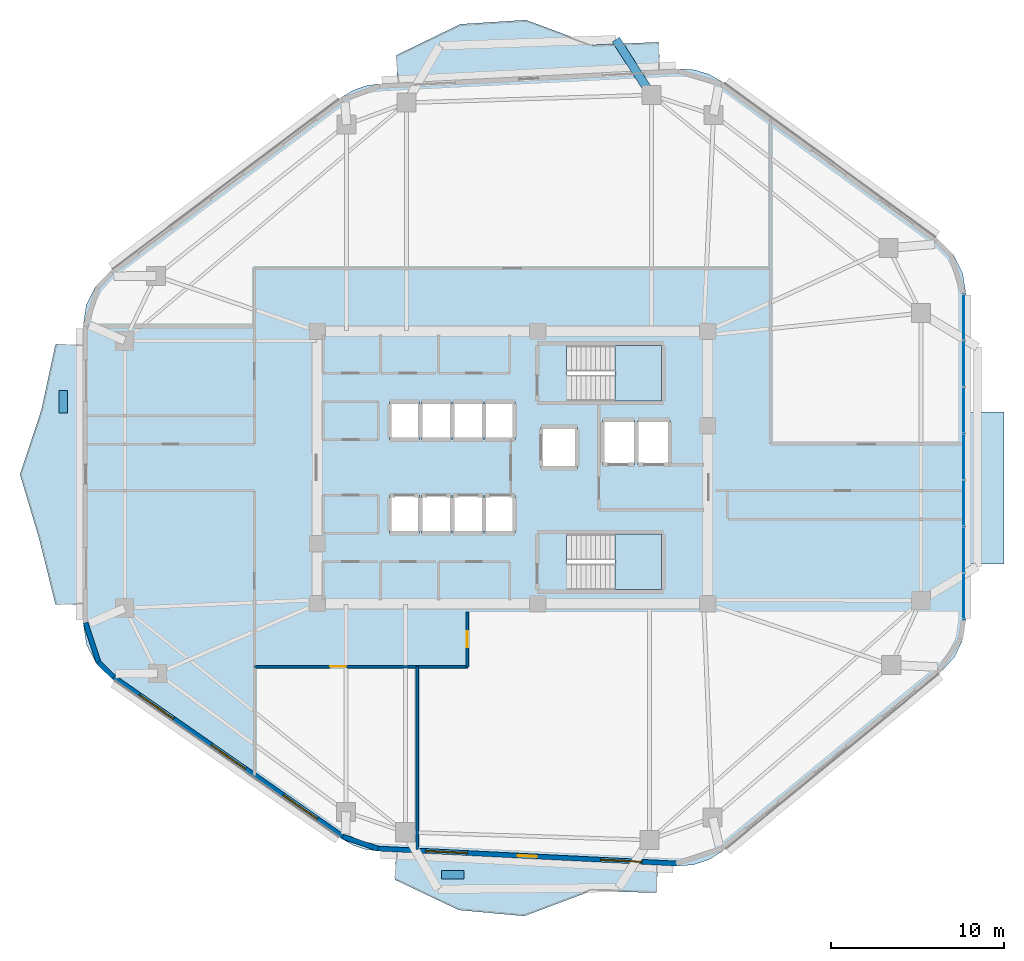
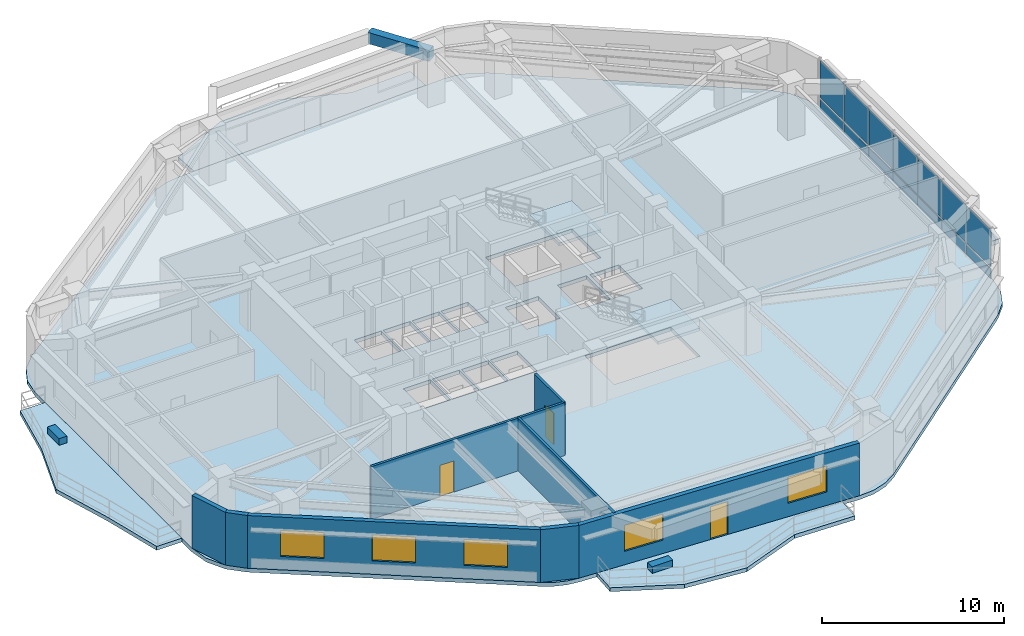
# One storey, part 8 of 15: 16 plates, 8 walls, 7 slabs, 5 windows, 3 doors, 1 beam, 8 openings, 3 elements without a shape of their own.
"""IFC4 building model written with IfcOpenShell, lengths in metres."""

from ifc_helpers import new_model, si_unit, direction, frame, frame_2d, origin, origin_2d, place, context, subcontext, project, spatial, polyline, rectangle, outline, extrude, material, layer, layer_set, material_profile, profile_set, type_object, element, fill, aggregate, save


model = new_model("IFC4")

# Units and contexts
model_context = context("Model", 3, precision=1e-05, world=origin(), true_north=direction((0.0, 1.0)))
body_context = subcontext(model_context, "Body", "Model", "MODEL_VIEW")
ifc_project = project(units=[si_unit("LENGTHUNIT", "METRE"), si_unit("AREAUNIT", "SQUARE_METRE"), si_unit("VOLUMEUNIT", "CUBIC_METRE"), si_unit("PLANEANGLEUNIT", "RADIAN"), si_unit("MASSUNIT", "GRAM", prefix="KILO")], contexts=[model_context])

# Site, building, storey
site_placement = place(None, origin())
site = spatial("IfcSite", under=ifc_project, at=site_placement, CompositionType="ELEMENT")
building_placement = place(site_placement, origin())
building = spatial("IfcBuilding", under=site, at=building_placement, Name="Zulverin Broadcast Headquarters", CompositionType="ELEMENT")
storey_placement = place(building_placement, frame((0.0, 0.0, 132.60009765625)))
storey = spatial("IfcBuildingStorey", under=building, at=storey_placement, Name="L33", CompositionType="ELEMENT", Elevation=132.60009765625)

# Beam
ifc_material_1 = material(Name="Concrete C40/50", Category="concrete")
ifc_material_profile = material_profile(ifc_material_1, rectangle(XDim=0.5, YDim=0.75, at=origin_2d()), Name="Concrete C40/50", Category="concrete")
ifc_profile_set = profile_set([ifc_material_profile], Name="Concrete C40/50")
beam_type = type_object("IfcBeamType", Name="BM-RC-500x750", PredefinedType="BEAM", material=ifc_profile_set)
beam_placement = place(storey_placement, frame((45.027587890625, 46.7236328125, 3.164794921875), z_axis=(-0.539740838151, 0.84183123465, 0.0), x_axis=(-0.84183123465, -0.539740838151, 0.0)))
element("IfcBeam", 1, at=beam_placement, inside=storey, type_object=beam_type, Name="L34 Balcony Column-Framed Cantilever BAL_N-1", PredefinedType="BEAM", context=body_context, shape_type="SweptSolid", body=[
    extrude(rectangle(XDim=0.5, YDim=0.75, at=origin_2d()), origin(), (0.0, 0.0, 1.0), 3.800048828125),
])

# Curtain wall, plates
ifc_material_2 = material(Name="Waist wind-pressure unitised curtain wall", Category="aluminium")
curtain_wall_type = type_object("IfcCurtainWallType", Name="CW-TWR-WST", PredefinedType="USERDEFINED", material=ifc_material_2)
curtain_wall_placement = place(storey_placement, origin())
curtain_wall = element("IfcCurtainWall", 2, at=curtain_wall_placement, inside=storey, type_object=curtain_wall_type, Name="L33 Unitised Curtain Wall CW-L33-E3", ObjectType="UNITISED CURTAIN WALL", PredefinedType="USERDEFINED")
ifc_material_3 = material(Name="Low-E double-glazed pale-silver vision glass", Category="glass")
ifc_layer_1 = layer(ifc_material_3, 0.035888671875, Name="Low-E double-glazed pale-silver vision glass", Category="glass")
ifc_layer_set_1 = layer_set([ifc_layer_1], Name="Low-E double-glazed pale-silver vision glass")
plate_type_1 = type_object("IfcPlateType", Name="CW-PNL-GLZ", PredefinedType="CURTAIN_PANEL", material=ifc_layer_set_1)
plate_1_placement = place(storey_placement, frame((63.080078125, 17.761962890625, 0.91455078125), z_axis=(0.0, 0.0, 1.0), x_axis=(0.0, 1.0, 0.0)))
plate_1 = element("IfcPlate", 3, at=plate_1_placement, type_object=plate_type_1, Name="CW-L33-E3 Vision Panel 00", PredefinedType="CURTAIN_PANEL", context=body_context, shape_type="SweptSolid", body=[
    extrude(rectangle(XDim=2.6474609375, YDim=0.035888671875, at=origin_2d()), origin(), (0.0, 0.0, 1.0), 2.4853515625),
])
plate_2_placement = place(storey_placement, frame((63.080078125, 20.449462890625, 0.91455078125), z_axis=(0.0, 0.0, 1.0), x_axis=(0.0, 1.0, 0.0)))
plate_2 = element("IfcPlate", 4, at=plate_2_placement, type_object=plate_type_1, Name="CW-L33-E3 Vision Panel 01", PredefinedType="CURTAIN_PANEL", context=body_context, shape_type="SweptSolid", body=[
    extrude(rectangle(XDim=2.6474609375, YDim=0.035888671875, at=origin_2d()), origin(), (0.0, 0.0, 1.0), 2.4853515625),
])
plate_3_placement = place(storey_placement, frame((63.080078125, 23.13671875, 0.91455078125), z_axis=(0.0, 0.0, 1.0), x_axis=(0.0, 1.0, 0.0)))
plate_3 = element("IfcPlate", 5, at=plate_3_placement, type_object=plate_type_1, Name="CW-L33-E3 Vision Panel 02", PredefinedType="CURTAIN_PANEL", context=body_context, shape_type="SweptSolid", body=[
    extrude(rectangle(XDim=2.6474609375, YDim=0.035888671875, at=origin_2d()), origin(), (0.0, 0.0, 1.0), 2.4853515625),
])
plate_4_placement = place(storey_placement, frame((63.080078125, 25.82421875, 0.91455078125), z_axis=(0.0, 0.0, 1.0), x_axis=(0.0, 1.0, 0.0)))
plate_4 = element("IfcPlate", 6, at=plate_4_placement, type_object=plate_type_1, Name="CW-L33-E3 Vision Panel 03", PredefinedType="CURTAIN_PANEL", context=body_context, shape_type="SweptSolid", body=[
    extrude(rectangle(XDim=2.6474609375, YDim=0.035888671875, at=origin_2d()), origin(), (0.0, 0.0, 1.0), 2.4853515625),
])
plate_5_placement = place(storey_placement, frame((63.080078125, 28.511474609375, 0.91455078125), z_axis=(0.0, 0.0, 1.0), x_axis=(0.0, 1.0, 0.0)))
plate_5 = element("IfcPlate", 7, at=plate_5_placement, type_object=plate_type_1, Name="CW-L33-E3 Vision Panel 04", PredefinedType="CURTAIN_PANEL", context=body_context, shape_type="SweptSolid", body=[
    extrude(rectangle(XDim=2.6474609375, YDim=0.035888671875, at=origin_2d()), origin(), (0.0, 0.0, 1.0), 2.4853515625),
])
plate_6_placement = place(storey_placement, frame((63.080078125, 31.19873046875, 0.91455078125), z_axis=(0.0, 0.0, 1.0), x_axis=(0.0, 1.0, 0.0)))
plate_6 = element("IfcPlate", 8, at=plate_6_placement, type_object=plate_type_1, Name="CW-L33-E3 Vision Panel 05", PredefinedType="CURTAIN_PANEL", context=body_context, shape_type="SweptSolid", body=[
    extrude(rectangle(XDim=2.6474609375, YDim=0.035888671875, at=origin_2d()), origin(), (0.0, 0.0, 1.0), 2.4853515625),
])
plate_7_placement = place(storey_placement, frame((63.080078125, 33.88623046875, 0.91455078125), z_axis=(0.0, 0.0, 1.0), x_axis=(0.0, 1.0, 0.0)))
plate_7 = element("IfcPlate", 9, at=plate_7_placement, type_object=plate_type_1, Name="CW-L33-E3 Vision Panel 06", PredefinedType="CURTAIN_PANEL", context=body_context, shape_type="SweptSolid", body=[
    extrude(rectangle(XDim=2.6474609375, YDim=0.035888671875, at=origin_2d()), origin(), (0.0, 0.0, 1.0), 2.4853515625),
])
ifc_material_4 = material(Name="Insulated brushed pale-aluminium spandrel cassette", Category="aluminium")
ifc_layer_2 = layer(ifc_material_4, 0.050048828125, Name="Insulated brushed pale-aluminium spandrel cassette", Category="aluminium")
ifc_layer_set_2 = layer_set([ifc_layer_2], Name="Insulated brushed pale-aluminium spandrel cassette")
plate_type_2 = type_object("IfcPlateType", Name="CW-PNL-SPN", PredefinedType="CURTAIN_PANEL", material=ifc_layer_set_2)
plate_8_placement = place(storey_placement, frame((63.080078125, 17.761962890625, 0.139892578125), z_axis=(0.0, 0.0, 1.0), x_axis=(0.0, 1.0, 0.0)))
plate_8 = element("IfcPlate", 10, at=plate_8_placement, type_object=plate_type_2, Name="CW-L33-E3 Spandrel Cassette 00", PredefinedType="CURTAIN_PANEL", context=body_context, shape_type="SweptSolid", body=[
    extrude(rectangle(XDim=2.6474609375, YDim=0.050048828125, at=origin_2d()), origin(), (0.0, 0.0, 1.0), 0.64453125),
])
plate_9_placement = place(storey_placement, frame((63.080078125, 20.449462890625, 0.139892578125), z_axis=(0.0, 0.0, 1.0), x_axis=(0.0, 1.0, 0.0)))
plate_9 = element("IfcPlate", 11, at=plate_9_placement, type_object=plate_type_2, Name="CW-L33-E3 Spandrel Cassette 01", PredefinedType="CURTAIN_PANEL", context=body_context, shape_type="SweptSolid", body=[
    extrude(rectangle(XDim=2.6474609375, YDim=0.050048828125, at=origin_2d()), origin(), (0.0, 0.0, 1.0), 0.64453125),
])
plate_10_placement = place(storey_placement, frame((63.080078125, 23.13671875, 0.139892578125), z_axis=(0.0, 0.0, 1.0), x_axis=(0.0, 1.0, 0.0)))
plate_10 = element("IfcPlate", 12, at=plate_10_placement, type_object=plate_type_2, Name="CW-L33-E3 Spandrel Cassette 02", PredefinedType="CURTAIN_PANEL", context=body_context, shape_type="SweptSolid", body=[
    extrude(rectangle(XDim=2.6474609375, YDim=0.050048828125, at=origin_2d()), origin(), (0.0, 0.0, 1.0), 0.64453125),
])
plate_11_placement = place(storey_placement, frame((63.080078125, 25.82421875, 0.139892578125), z_axis=(0.0, 0.0, 1.0), x_axis=(0.0, 1.0, 0.0)))
plate_11 = element("IfcPlate", 13, at=plate_11_placement, type_object=plate_type_2, Name="CW-L33-E3 Spandrel Cassette 03", PredefinedType="CURTAIN_PANEL", context=body_context, shape_type="SweptSolid", body=[
    extrude(rectangle(XDim=2.6474609375, YDim=0.050048828125, at=origin_2d()), origin(), (0.0, 0.0, 1.0), 0.64453125),
])
plate_12_placement = place(storey_placement, frame((63.080078125, 28.511474609375, 0.139892578125), z_axis=(0.0, 0.0, 1.0), x_axis=(0.0, 1.0, 0.0)))
plate_12 = element("IfcPlate", 14, at=plate_12_placement, type_object=plate_type_2, Name="CW-L33-E3 Spandrel Cassette 04", PredefinedType="CURTAIN_PANEL", context=body_context, shape_type="SweptSolid", body=[
    extrude(rectangle(XDim=2.6474609375, YDim=0.050048828125, at=origin_2d()), origin(), (0.0, 0.0, 1.0), 0.64453125),
])
plate_13_placement = place(storey_placement, frame((63.080078125, 31.19873046875, 0.139892578125), z_axis=(0.0, 0.0, 1.0), x_axis=(0.0, 1.0, 0.0)))
plate_13 = element("IfcPlate", 15, at=plate_13_placement, type_object=plate_type_2, Name="CW-L33-E3 Spandrel Cassette 05", PredefinedType="CURTAIN_PANEL", context=body_context, shape_type="SweptSolid", body=[
    extrude(rectangle(XDim=2.6474609375, YDim=0.050048828125, at=origin_2d()), origin(), (0.0, 0.0, 1.0), 0.64453125),
])
plate_14_placement = place(storey_placement, frame((63.080078125, 33.88623046875, 0.139892578125), z_axis=(0.0, 0.0, 1.0), x_axis=(0.0, 1.0, 0.0)))
plate_14 = element("IfcPlate", 16, at=plate_14_placement, type_object=plate_type_2, Name="CW-L33-E3 Spandrel Cassette 06", PredefinedType="CURTAIN_PANEL", context=body_context, shape_type="SweptSolid", body=[
    extrude(rectangle(XDim=2.6474609375, YDim=0.050048828125, at=origin_2d()), origin(), (0.0, 0.0, 1.0), 0.64453125),
])
aggregate(curtain_wall, [plate_8, plate_1, plate_9, plate_2, plate_10, plate_3, plate_11, plate_4, plate_12, plate_5, plate_13, plate_6, plate_14, plate_7])

# Plates
ifc_material_5 = material(Name="Precast concrete C45/55", Category="concrete")
ifc_layer_3 = layer(ifc_material_5, 0.449951171875, Name="Precast concrete C45/55", Category="concrete")
ifc_layer_set_3 = layer_set([ifc_layer_3], Name="Precast concrete C45/55")
plate_type_3 = type_object("IfcPlateType", Name="PT-01_PRECAST_GFRC_TREE_PLANTER", PredefinedType="USERDEFINED", material=ifc_layer_set_3)
for number, where, z_axis, x_axis, name in (
    (17, (11.050048828125, 29.011962890625, -0.0048828125), (0.0, 0.0, 1.0), (0.0, 1.0, 0.0), "L33 Precast GFRC Tree Planter BAL_W"),
    (18, (33.553955078125, 1.673583984375, -0.0048828125), (0.0, 0.0, 1.0), (1.0, 0.0, 0.0), "L33 Precast GFRC Tree Planter BAL_S"),
):
    element("IfcPlate", number, at=place(storey_placement, frame(where, z_axis=z_axis, x_axis=x_axis)), inside=storey, type_object=plate_type_3, Name=name, ObjectType="PLANTER", PredefinedType="USERDEFINED", context=body_context, shape_type="SweptSolid", body=[
        extrude(rectangle(XDim=1.300048828125, YDim=0.5, at=origin_2d()), origin(), (0.0, 0.0, 1.0), 0.449951171875),
    ])

# Slabs
ifc_layer_4 = layer(ifc_material_1, 0.260009765625, Name="Concrete C40/50", Category="concrete")
ifc_layer_set_4 = layer_set([ifc_layer_4], Name="Concrete C40/50")
slab_type_1 = type_object("IfcSlabType", Name="SLB-BAL-260", PredefinedType="FLOOR", material=ifc_layer_set_4)
slab_1_placement = place(storey_placement, frame((0.0, 0.0, -0.260009765625)))
element("IfcSlab", 19, at=slab_1_placement, inside=storey, type_object=slab_type_1, Name="L33 Cantilevered Planted Balcony Slab BAL_N", PredefinedType="FLOOR", context=body_context, shape_type="SweptSolid", body=[
    extrude(outline(polyline([(30.364013671875, 47.4150390625), (45.526611328125, 48.17578125), (45.4462890625, 49.773681640625), (41.654052734375, 49.6162109375), (37.78173828125, 51.054443359375), (33.99365234375, 50.813232421875), (30.28369140625, 49.012939453125), (30.364013671875, 47.4150390625)])), origin(), (0.0, 0.0, 1.0), 0.260009765625),
])
slab_2_placement = place(storey_placement, frame((0.0, 0.0, -0.260009765625)))
element("IfcSlab", 20, at=slab_2_placement, inside=storey, type_object=slab_type_1, Name="L33 Cantilevered Planted Balcony Slab BAL_W", PredefinedType="FLOOR", context=body_context, shape_type="SweptSolid", body=[
    extrude(outline(polyline([(12.199951171875, 17.286865234375), (12.199951171875, 32.31884765625), (10.60009765625, 32.31884765625), (9.794921875, 28.560791015625), (8.550048828125, 24.802978515625), (9.670654296875, 21.044921875), (10.60009765625, 17.286865234375), (12.199951171875, 17.286865234375)])), origin(), (0.0, 0.0, 1.0), 0.260009765625),
])
slab_3_placement = place(storey_placement, frame((0.0, 0.0, -0.260009765625)))
element("IfcSlab", 21, at=slab_3_placement, inside=storey, type_object=slab_type_1, Name="L33 Cantilevered Planted Balcony Slab BAL_S", PredefinedType="FLOOR", context=body_context, shape_type="SweptSolid", body=[
    extrude(outline(polyline([(45.400390625, 2.230712890625), (30.28662109375, 2.989013671875), (30.206298828125, 1.390869140625), (33.906005859375, -0.3671875), (37.676513671875, -0.71435546875), (41.537109375, 0.732177734375), (45.320068359375, 0.632568359375), (45.400390625, 2.230712890625)])), origin(), (0.0, 0.0, 1.0), 0.260009765625),
])
ifc_layer_5 = layer(ifc_material_1, 0.300048828125, Name="Concrete C40/50", Category="concrete")
ifc_layer_set_5 = layer_set([ifc_layer_5], Name="Concrete C40/50")
slab_type_2 = type_object("IfcSlabType", Name="SLB-POD-300", PredefinedType="FLOOR", material=ifc_layer_set_5)
slab_4_placement = place(storey_placement, frame((0.0, 0.0, -0.260009765625)))
element("IfcSlab", 22, at=slab_4_placement, inside=storey, type_object=slab_type_2, Name="L33 Shifted Studio Box Acoustic Closure Slab SBOX_SKY1_E", PredefinedType="FLOOR", context=body_context, shape_type="SweptSolid", body=[
    extrude(outline(polyline([(65.39990234375, 19.612060546875), (65.39990234375, 28.412109375), (63.199951171875, 28.412109375), (63.199951171875, 19.612060546875), (65.39990234375, 19.612060546875)])), origin(), (0.0, 0.0, 1.0), 0.2998046875),
])

# Stair, slab
stair_type = type_object("IfcStairType", Name="ST-CORE-1500", PredefinedType="HALF_TURN_STAIR", material=ifc_material_1)
stair_1_placement = place(storey_placement, origin())
stair_1 = element("IfcStair", 23, at=stair_1_placement, inside=storey, type_object=stair_type, Name="L33 Core Exit Stair ST-1", PredefinedType="HALF_TURN_STAIR")
ifc_layer_6 = layer(ifc_material_1, 0.199951171875, Name="Concrete C40/50", Category="concrete")
ifc_layer_set_6 = layer_set([ifc_layer_6], Name="Concrete C40/50")
slab_type_3 = type_object("IfcSlabType", Name="SLB-ST-LND200", PredefinedType="LANDING", material=ifc_layer_set_6)
slab_5_placement = place(storey_placement, frame((0.0, 0.0, 1.699951171875)))
slab_5 = element("IfcSlab", 24, at=slab_5_placement, type_object=slab_type_3, Name="ST-1 landing 1", PredefinedType="LANDING", context=body_context, shape_type="SweptSolid", body=[
    extrude(outline(polyline([(42.929931640625, 29.050048828125), (45.60009765625, 29.050048828125), (45.60009765625, 32.25), (42.929931640625, 32.25), (42.929931640625, 29.050048828125)])), origin(), (0.0, 0.0, 1.0), 0.199951171875),
])
aggregate(stair_1, [slab_5])

stair_2_placement = place(storey_placement, origin())
stair_2 = element("IfcStair", 25, at=stair_2_placement, inside=storey, type_object=stair_type, Name="L33 Core Exit Stair ST-2", PredefinedType="HALF_TURN_STAIR")
slab_6_placement = place(storey_placement, frame((0.0, 0.0, 1.699951171875)))
slab_6 = element("IfcSlab", 26, at=slab_6_placement, type_object=slab_type_3, Name="ST-2 landing 1", PredefinedType="LANDING", context=body_context, shape_type="SweptSolid", body=[
    extrude(outline(polyline([(42.929931640625, 18.14990234375), (45.60009765625, 18.14990234375), (45.60009765625, 21.35009765625), (42.929931640625, 21.35009765625), (42.929931640625, 18.14990234375)])), origin(), (0.0, 0.0, 1.0), 0.199951171875),
])
aggregate(stair_2, [slab_6])

# Slab
ifc_layer_7 = layer(ifc_material_1, 0.260009765625, Name="Concrete C40/50", Category="concrete")
ifc_layer_set_7 = layer_set([ifc_layer_7], Name="Concrete C40/50")
slab_type_4 = type_object("IfcSlabType", Name="SLB-TWR-260", PredefinedType="FLOOR", material=ifc_layer_set_7)
slab_7_placement = place(storey_placement, frame((0.0, 0.0, -0.260009765625)))
element("IfcSlab", 27, at=slab_7_placement, inside=storey, type_object=slab_type_4, Name="L33 Main Structural Floor Slab", PredefinedType="FLOOR", context=body_context, shape_type="SweptSolid", body=[
    extrude(outline(polyline([(27.155029296875, 3.73828125), (27.785400390625, 3.381591796875), (28.470947265625, 3.147216796875), (29.18798828125, 3.0439453125), (46.498779296875, 2.175537109375), (47.45263671875, 2.2451171875), (48.36083984375, 2.544677734375), (49.168701171875, 3.05615234375), (61.7744140625, 13.40380859375), (62.54296875, 14.251708984375), (63.031982421875, 15.286376953125), (63.199951171875, 16.418212890625), (63.199951171875, 35.22998046875), (63.010009765625, 36.4326171875), (62.458251953125, 37.517822265625), (61.598876953125, 38.38037109375), (49.119384765625, 47.486083984375), (48.351806640625, 47.922607421875), (47.506103515625, 48.175048828125), (46.625, 48.230712890625), (29.265380859375, 47.35986328125), (28.502197265625, 47.2451171875), (27.776611328125, 46.982421875), (27.116943359375, 46.581787109375), (13.756103515625, 36.5361328125), (12.919921875, 35.6767578125), (12.384521484375, 34.603759765625), (12.199951171875, 33.4189453125), (12.199951171875, 16.18701171875), (12.399169921875, 14.956787109375), (12.975830078125, 13.852294921875), (13.87158203125, 12.986083984375), (27.155029296875, 3.73828125)]), holes=[polyline([(40.155029296875, 30.75), (40.130126953125, 30.75), (40.130126953125, 32.25), (45.60009765625, 32.25), (45.60009765625, 29.050048828125), (40.155029296875, 29.050048828125), (40.155029296875, 30.75)]), polyline([(40.155029296875, 19.85009765625), (40.130126953125, 19.85009765625), (40.130126953125, 21.35009765625), (45.60009765625, 21.35009765625), (45.60009765625, 18.14990234375), (40.155029296875, 18.14990234375), (40.155029296875, 19.85009765625)]), polyline([(29.89990234375, 21.39990234375), (31.6201171875, 21.39990234375), (31.6201171875, 23.60009765625), (29.89990234375, 23.60009765625), (29.89990234375, 21.39990234375)]), polyline([(31.739990234375, 21.39990234375), (33.4599609375, 21.39990234375), (33.4599609375, 23.60009765625), (31.739990234375, 23.60009765625), (31.739990234375, 21.39990234375)]), polyline([(33.580078125, 21.39990234375), (35.300048828125, 21.39990234375), (35.300048828125, 23.60009765625), (33.580078125, 23.60009765625), (33.580078125, 21.39990234375)]), polyline([(35.419921875, 21.39990234375), (37.139892578125, 21.39990234375), (37.139892578125, 23.60009765625), (35.419921875, 23.60009765625), (35.419921875, 21.39990234375)]), polyline([(29.89990234375, 26.800048828125), (31.6201171875, 26.800048828125), (31.6201171875, 29.0), (29.89990234375, 29.0), (29.89990234375, 26.800048828125)]), polyline([(31.739990234375, 26.800048828125), (33.4599609375, 26.800048828125), (33.4599609375, 29.0), (31.739990234375, 29.0), (31.739990234375, 26.800048828125)]), polyline([(33.580078125, 26.800048828125), (35.300048828125, 26.800048828125), (35.300048828125, 29.0), (33.580078125, 29.0), (33.580078125, 26.800048828125)]), polyline([(35.419921875, 26.800048828125), (37.139892578125, 26.800048828125), (37.139892578125, 29.0), (35.419921875, 29.0), (35.419921875, 26.800048828125)]), polyline([(42.199951171875, 25.35009765625), (44.050048828125, 25.35009765625), (44.050048828125, 27.949951171875), (42.199951171875, 27.949951171875), (42.199951171875, 25.35009765625)]), polyline([(44.25, 25.35009765625), (46.10009765625, 25.35009765625), (46.10009765625, 27.949951171875), (44.25, 27.949951171875), (44.25, 25.35009765625)]), polyline([(38.64990234375, 25.14990234375), (40.75, 25.14990234375), (40.75, 27.550048828125), (38.64990234375, 27.550048828125), (38.64990234375, 25.14990234375)])]), origin(), (0.0, 0.0, 1.0), 0.260009765625),
])

# Wall, openings, door, windows
ifc_material_6 = material(Name="Insulated pale-metal clad concrete spandrel C40/50", Category="concrete")
ifc_layer_8 = layer(ifc_material_6, 0.280029296875, Name="Insulated pale-metal clad concrete spandrel C40/50", Category="concrete")
ifc_layer_set_8 = layer_set([ifc_layer_8], Name="Insulated pale-metal clad concrete spandrel C40/50")
wall_type_1 = type_object("IfcWallType", Name="WL-EXT-280", PredefinedType="STANDARD", material=ifc_layer_set_8)
wall_1_placement = place(storey_placement, frame((29.19482421875, 3.183837890625, 0.0), z_axis=(0.0, 0.0, 1.0), x_axis=(0.998743400978, -0.05011605535, 0.0)))
wall_1 = element("IfcWall", 28, at=wall_1_placement, inside=storey, type_object=wall_type_1, Name="L33 Pale-Metal Clad Spandrel Wall 1", PredefinedType="STANDARD", context=body_context, shape_type="SweptSolid", body=[
    extrude(rectangle(XDim=17.332763671875, YDim=0.280029296875, at=frame_2d((8.66650390625, 0.0))), origin(), (0.0, 0.0, 1.0), 3.539794921875),
])
opening_1_placement = place(wall_1_placement, frame((8.116455078125, 0.0, 0.0)))
opening_1 = element("IfcOpeningElement", 29, at=opening_1_placement, cuts=wall_1, Name="Opening D-L33-TR1", PredefinedType="OPENING", context=body_context, shape_type="SweptSolid", body=[
    extrude(rectangle(XDim=1.10009765625, YDim=2.199951171875, at=frame_2d((0.550048828125, 1.10009765625))), frame((0.0, 0.14990234375, 0.0), z_axis=(0.0, -1.0, 0.0), x_axis=(1.0, 0.0, 0.0)), (0.0, 0.0, 1.0), 0.300048828125),
])
opening_2_placement = place(wall_1_placement, frame((2.802001953125, 0.0, 0.89990234375)))
opening_2 = element("IfcOpeningElement", 30, at=opening_2_placement, cuts=wall_1, Name="Opening W-L33-E11", PredefinedType="OPENING", context=body_context, shape_type="SweptSolid", body=[
    extrude(rectangle(XDim=2.39990234375, YDim=1.75, at=frame_2d((1.199951171875, 0.875))), frame((0.0, 0.14990234375, 0.0), z_axis=(0.0, -1.0, 0.0), x_axis=(1.0, 0.0, 0.0)), (0.0, 0.0, 1.0), 0.300048828125),
])
opening_3_placement = place(wall_1_placement, frame((12.91064453125, 0.0, 0.89990234375)))
opening_3 = element("IfcOpeningElement", 31, at=opening_3_placement, cuts=wall_1, Name="Opening W-L33-E12", PredefinedType="OPENING", context=body_context, shape_type="SweptSolid", body=[
    extrude(rectangle(XDim=2.39990234375, YDim=1.75, at=frame_2d((1.199951171875, 0.875))), frame((0.0, 0.14990234375, 0.0), z_axis=(0.0, -1.0, 0.0), x_axis=(1.0, 0.0, 0.0)), (0.0, 0.0, 1.0), 0.300048828125),
])
ifc_material_7 = material(Name="Thermally broken aluminium glazed", Category="aluminium")
door_type_1 = type_object("IfcDoorType", Name="DR-TERR-1100", OperationType="SINGLE_SWING_RIGHT", PredefinedType="DOOR", material=ifc_material_7)
door_1_placement = place(opening_1_placement, origin())
door_1 = element("IfcDoor", 32, at=door_1_placement, inside=storey, type_object=door_type_1, Name="L33 Planted Terrace Glazed Access Door 1", OperationType="SINGLE_SWING_RIGHT", OverallHeight=2.199951171875, OverallWidth=1.10009765625, PredefinedType="DOOR", context=body_context, shape_type="SweptSolid", body=[
    extrude(rectangle(XDim=1.10009765625, YDim=2.199951171875, at=frame_2d((0.550048828125, 1.10009765625))), frame((0.0, 0.02490234375, 0.0), z_axis=(0.0, -1.0, 0.0), x_axis=(1.0, 0.0, 0.0)), (0.0, 0.0, 1.0), 0.050048828125),
])
fill(opening_1, door_1)
ifc_material_8 = material(Name="Pale anodized aluminium frame with solar-control low-E double glazing", Category="aluminium")
window_type = type_object("IfcWindowType", Name="WIN-RIB-2400", PartitioningType="SINGLE_PANEL", PredefinedType="WINDOW", material=ifc_material_8)
window_1_placement = place(opening_2_placement, origin())
window_1 = element("IfcWindow", 33, at=window_1_placement, inside=storey, type_object=window_type, Name="L33 Ribbon Glazing Window 1 1", OverallHeight=1.75, OverallWidth=2.39990234375, PartitioningType="SINGLE_PANEL", PredefinedType="WINDOW", context=body_context, shape_type="SweptSolid", body=[
    extrude(rectangle(XDim=2.39990234375, YDim=1.75, at=frame_2d((1.199951171875, 0.875))), frame((0.0, 0.030029296875, 0.0), z_axis=(0.0, -1.0, 0.0), x_axis=(1.0, 0.0, 0.0)), (0.0, 0.0, 1.0), 0.06005859375),
])
fill(opening_2, window_1)
window_2_placement = place(opening_3_placement, origin())
window_2 = element("IfcWindow", 34, at=window_2_placement, inside=storey, type_object=window_type, Name="L33 Ribbon Glazing Window 1 2", OverallHeight=1.75, OverallWidth=2.39990234375, PartitioningType="SINGLE_PANEL", PredefinedType="WINDOW", context=body_context, shape_type="SweptSolid", body=[
    extrude(rectangle(XDim=2.39990234375, YDim=1.75, at=frame_2d((1.199951171875, 0.875))), frame((0.0, 0.030029296875, 0.0), z_axis=(0.0, -1.0, 0.0), x_axis=(1.0, 0.0, 0.0)), (0.0, 0.0, 1.0), 0.06005859375),
])
fill(opening_3, window_2)

# Wall, openings, windows
wall_2_placement = place(storey_placement, frame((13.95166015625, 13.10107421875, 0.0), z_axis=(0.0, 0.0, 1.0), x_axis=(0.820698239491, -0.571361881558, 0.0)))
wall_2 = element("IfcWall", 35, at=wall_2_placement, inside=storey, type_object=wall_type_1, Name="L33 Pale-Metal Clad Spandrel Wall 8", PredefinedType="STANDARD", context=body_context, shape_type="SweptSolid", body=[
    extrude(rectangle(XDim=16.185546875, YDim=0.280029296875, at=frame_2d((8.0927734375, 0.0))), origin(), (0.0, 0.0, 1.0), 3.539794921875),
])
opening_4_placement = place(wall_2_placement, frame((1.830810546875, 0.0, 0.89990234375)))
opening_4 = element("IfcOpeningElement", 36, at=opening_4_placement, cuts=wall_2, Name="Opening W-L33-E81", PredefinedType="OPENING", context=body_context, shape_type="SweptSolid", body=[
    extrude(rectangle(XDim=2.39990234375, YDim=1.75, at=frame_2d((1.199951171875, 0.875))), frame((0.0, 0.14990234375, 0.0), z_axis=(0.0, -1.0, 0.0), x_axis=(1.0, 0.0, 0.0)), (0.0, 0.0, 1.0), 0.300048828125),
])
opening_5_placement = place(wall_2_placement, frame((6.892578125, 0.0, 0.89990234375)))
opening_5 = element("IfcOpeningElement", 37, at=opening_5_placement, cuts=wall_2, Name="Opening W-L33-E82", PredefinedType="OPENING", context=body_context, shape_type="SweptSolid", body=[
    extrude(rectangle(XDim=2.39990234375, YDim=1.75, at=frame_2d((1.199951171875, 0.875))), frame((0.0, 0.14990234375, 0.0), z_axis=(0.0, -1.0, 0.0), x_axis=(1.0, 0.0, 0.0)), (0.0, 0.0, 1.0), 0.300048828125),
])
opening_6_placement = place(wall_2_placement, frame((11.95458984375, 0.0, 0.89990234375)))
opening_6 = element("IfcOpeningElement", 38, at=opening_6_placement, cuts=wall_2, Name="Opening W-L33-E83", PredefinedType="OPENING", context=body_context, shape_type="SweptSolid", body=[
    extrude(rectangle(XDim=2.39990234375, YDim=1.75, at=frame_2d((1.199951171875, 0.875))), frame((0.0, 0.14990234375, 0.0), z_axis=(0.0, -1.0, 0.0), x_axis=(1.0, 0.0, 0.0)), (0.0, 0.0, 1.0), 0.300048828125),
])
window_3_placement = place(opening_4_placement, origin())
window_3 = element("IfcWindow", 39, at=window_3_placement, inside=storey, type_object=window_type, Name="L33 Ribbon Glazing Window 8 1", OverallHeight=1.75, OverallWidth=2.39990234375, PartitioningType="SINGLE_PANEL", PredefinedType="WINDOW", context=body_context, shape_type="SweptSolid", body=[
    extrude(rectangle(XDim=2.39990234375, YDim=1.75, at=frame_2d((1.199951171875, 0.875))), frame((0.0, 0.030029296875, 0.0), z_axis=(0.0, -1.0, 0.0), x_axis=(1.0, 0.0, 0.0)), (0.0, 0.0, 1.0), 0.06005859375),
])
fill(opening_4, window_3)
window_4_placement = place(opening_5_placement, origin())
window_4 = element("IfcWindow", 40, at=window_4_placement, inside=storey, type_object=window_type, Name="L33 Ribbon Glazing Window 8 2", OverallHeight=1.75, OverallWidth=2.39990234375, PartitioningType="SINGLE_PANEL", PredefinedType="WINDOW", context=body_context, shape_type="SweptSolid", body=[
    extrude(rectangle(XDim=2.39990234375, YDim=1.75, at=frame_2d((1.199951171875, 0.875))), frame((0.0, 0.030029296875, 0.0), z_axis=(0.0, -1.0, 0.0), x_axis=(1.0, 0.0, 0.0)), (0.0, 0.0, 1.0), 0.06005859375),
])
fill(opening_5, window_4)
window_5_placement = place(opening_6_placement, origin())
window_5 = element("IfcWindow", 41, at=window_5_placement, inside=storey, type_object=window_type, Name="L33 Ribbon Glazing Window 8 3", OverallHeight=1.75, OverallWidth=2.39990234375, PartitioningType="SINGLE_PANEL", PredefinedType="WINDOW", context=body_context, shape_type="SweptSolid", body=[
    extrude(rectangle(XDim=2.39990234375, YDim=1.75, at=frame_2d((1.199951171875, 0.875))), frame((0.0, 0.030029296875, 0.0), z_axis=(0.0, -1.0, 0.0), x_axis=(1.0, 0.0, 0.0)), (0.0, 0.0, 1.0), 0.06005859375),
])
fill(opening_6, window_5)

# Walls
wall_3_placement = place(storey_placement, frame((12.3330078125, 16.231201171875, 0.0), z_axis=(0.0, 0.0, 1.0), x_axis=(0.315364302967, -0.94897068259, 0.0)))
element("IfcWall", 42, at=wall_3_placement, inside=storey, type_object=wall_type_1, Name="L33 Wind-Shaped Corner Spandrel Wall 7-1", PredefinedType="STANDARD", context=body_context, shape_type="SweptSolid", body=[
    extrude(rectangle(XDim=2.460205078125, YDim=0.280029296875, at=frame_2d((1.22998046875, 0.0))), origin(), (0.0, 0.0, 1.0), 3.539794921875),
])
wall_4_placement = place(storey_placement, frame((13.0732421875, 13.952880859375, 0.0), z_axis=(0.0, 0.0, 1.0), x_axis=(0.718958999036, -0.695052485576, 0.0)))
element("IfcWall", 43, at=wall_4_placement, inside=storey, type_object=wall_type_1, Name="L33 Wind-Shaped Corner Spandrel Wall 7-2", PredefinedType="STANDARD", context=body_context, shape_type="SweptSolid", body=[
    extrude(rectangle(XDim=1.245849609375, YDim=0.280029296875, at=frame_2d((0.623046875, 0.0))), origin(), (0.0, 0.0, 1.0), 3.539794921875),
])
wall_5_placement = place(storey_placement, frame((27.2001953125, 3.870849609375, 0.0), z_axis=(0.0, 0.0, 1.0), x_axis=(0.946327814955, -0.323208395068, 0.0)))
element("IfcWall", 44, at=wall_5_placement, inside=storey, type_object=wall_type_1, Name="L33 Wind-Shaped Corner Spandrel Wall 8-1", PredefinedType="STANDARD", context=body_context, shape_type="SweptSolid", body=[
    extrude(rectangle(XDim=2.148193359375, YDim=0.280029296875, at=frame_2d((1.07421875, 0.0))), origin(), (0.0, 0.0, 1.0), 3.539794921875),
])

# Wall, opening, door
ifc_material_9 = material(Name="Fire-rated gypsum stud partition", Category="gypsum")
ifc_layer_9 = layer(ifc_material_9, 0.14990234375, Name="Fire-rated gypsum stud partition", Category="gypsum")
ifc_layer_set_9 = layer_set([ifc_layer_9], Name="Fire-rated gypsum stud partition")
wall_type_2 = type_object("IfcWallType", Name="WL-PART-150", PredefinedType="PARTITIONING", material=ifc_layer_set_9)
wall_6_placement = place(storey_placement, frame((34.39990234375, 13.699951171875, 0.0), z_axis=(0.0, 0.0, 1.0), x_axis=(0.0, 1.0, 0.0)))
wall_6 = element("IfcWall", 45, at=wall_6_placement, inside=storey, type_object=wall_type_2, Name="L33 Gallery Partition Wall CG-03", PredefinedType="PARTITIONING", context=body_context, shape_type="SweptSolid", body=[
    extrude(rectangle(XDim=3.16015625, YDim=0.14990234375, at=frame_2d((1.580078125, 0.0))), origin(), (0.0, 0.0, 1.0), 3.539794921875),
])
opening_7_placement = place(wall_6_placement, frame((1.1298828125, 0.0, 0.0)))
opening_7 = element("IfcOpeningElement", 46, at=opening_7_placement, cuts=wall_6, Name="Opening D-L33-03", PredefinedType="OPENING", context=body_context, shape_type="SweptSolid", body=[
    extrude(rectangle(XDim=0.89990234375, YDim=2.10009765625, at=frame_2d((0.449951171875, 1.050048828125))), frame((0.0, 0.0849609375, 0.0), z_axis=(0.0, -1.0, 0.0), x_axis=(1.0, 0.0, 0.0)), (0.0, 0.0, 1.0), 0.169921875),
])
ifc_material_10 = material(Name="Fire-rated hardwood veneer timber leaf", Category="wood")
door_type_2 = type_object("IfcDoorType", Name="DR-ROOM-900", OperationType="SINGLE_SWING_RIGHT", PredefinedType="DOOR", material=ifc_material_10)
door_2_placement = place(opening_7_placement, origin())
door_2 = element("IfcDoor", 47, at=door_2_placement, inside=storey, type_object=door_type_2, Name="L33 Briefing Room Door", OperationType="SINGLE_SWING_RIGHT", OverallHeight=2.10009765625, OverallWidth=0.89990234375, PredefinedType="DOOR", context=body_context, shape_type="SweptSolid", body=[
    extrude(rectangle(XDim=0.89990234375, YDim=2.10009765625, at=frame_2d((0.449951171875, 1.050048828125))), frame((0.0, 0.02490234375, 0.0), z_axis=(0.0, -1.0, 0.0), x_axis=(1.0, 0.0, 0.0)), (0.0, 0.0, 1.0), 0.050048828125),
])
fill(opening_7, door_2)

# Wall
wall_7_placement = place(storey_placement, frame((31.5, 3.133056640625, 0.0), z_axis=(0.0, 0.0, 1.0), x_axis=(0.0, 1.0, 0.0)))
element("IfcWall", 48, at=wall_7_placement, inside=storey, type_object=wall_type_2, Name="L33 Room Partition Wall RP-04", PredefinedType="PARTITIONING", context=body_context, shape_type="SweptSolid", body=[
    extrude(rectangle(XDim=10.56689453125, YDim=0.14990234375, at=frame_2d((5.283447265625, 0.0))), origin(), (0.0, 0.0, 1.0), 3.539794921875),
])

# Wall, opening, door
wall_8_placement = place(storey_placement, frame((22.10009765625, 13.699951171875, 0.0), z_axis=(0.0, 0.0, 1.0), x_axis=(1.0, 0.0, 0.0)))
wall_8 = element("IfcWall", 49, at=wall_8_placement, inside=storey, type_object=wall_type_2, Name="L33 Gallery Partition Wall CG-07", PredefinedType="PARTITIONING", context=body_context, shape_type="SweptSolid", body=[
    extrude(rectangle(XDim=12.2998046875, YDim=0.14990234375, at=frame_2d((6.14990234375, 0.0))), origin(), (0.0, 0.0, 1.0), 3.539794921875),
])
opening_8_placement = place(wall_8_placement, frame((4.3701171875, 0.0, 0.0)))
opening_8 = element("IfcOpeningElement", 50, at=opening_8_placement, cuts=wall_8, Name="Opening D-L33-02", PredefinedType="OPENING", context=body_context, shape_type="SweptSolid", body=[
    extrude(rectangle(XDim=0.89990234375, YDim=2.10009765625, at=frame_2d((0.449951171875, 1.050048828125))), frame((0.0, 0.0849609375, 0.0), z_axis=(0.0, -1.0, 0.0), x_axis=(1.0, 0.0, 0.0)), (0.0, 0.0, 1.0), 0.169921875),
])
door_3_placement = place(opening_8_placement, origin())
door_3 = element("IfcDoor", 51, at=door_3_placement, inside=storey, type_object=door_type_2, Name="L33 Project Meeting Room Door", OperationType="SINGLE_SWING_LEFT", OverallHeight=2.10009765625, OverallWidth=0.89990234375, PredefinedType="DOOR", context=body_context, shape_type="SweptSolid", body=[
    extrude(rectangle(XDim=0.89990234375, YDim=2.10009765625, at=frame_2d((0.449951171875, 1.050048828125))), frame((0.0, 0.02490234375, 0.0), z_axis=(0.0, -1.0, 0.0), x_axis=(1.0, 0.0, 0.0)), (0.0, 0.0, 1.0), 0.050048828125),
])
fill(opening_8, door_3)

save(model, "model.ifc")
